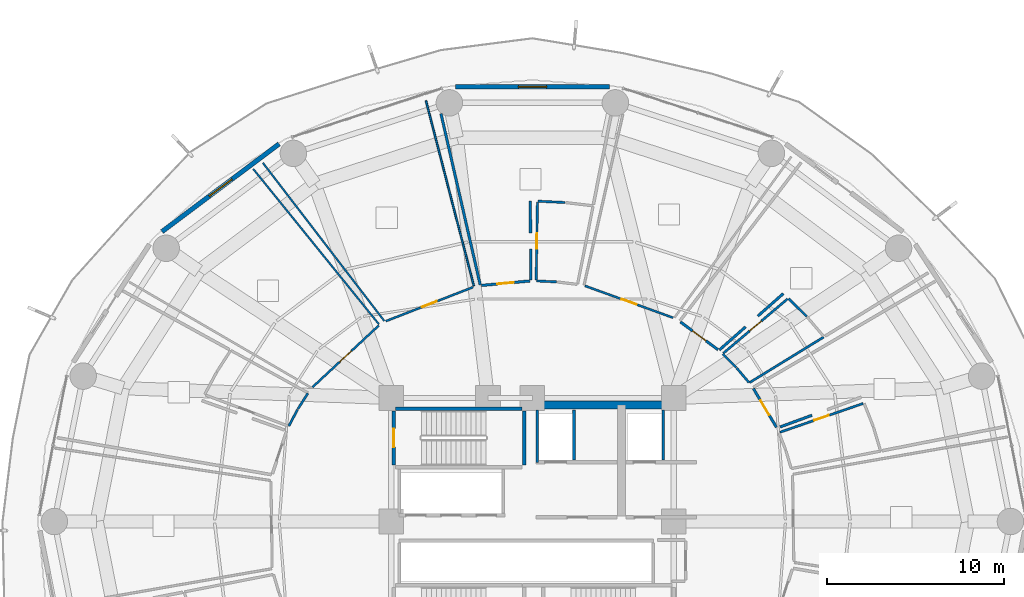
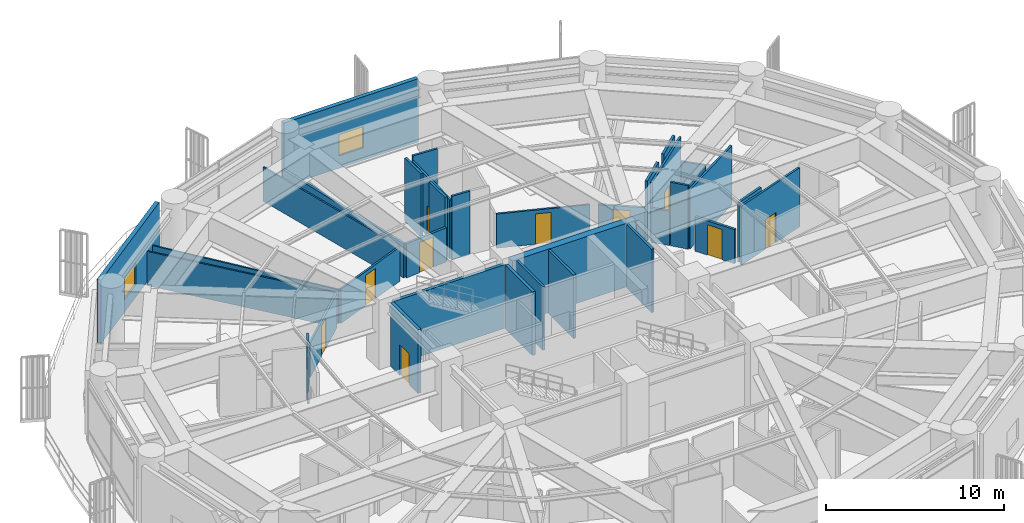
# One storey, part 24 of 31: 35 walls, 10 doors, 2 windows, 12 openings.
"""IFC4 building model written with IfcOpenShell, lengths in metres."""

from ifc_helpers import new_model, si_unit, direction, frame, frame_2d, origin, place, context, subcontext, project, spatial, rectangle, extrude, material, layer, layer_set, type_object, element, fill, save


model = new_model("IFC4")

# Units and contexts
model_context = context("Model", 3, precision=1e-05, world=origin(), true_north=direction((0.0, 1.0)))
body_context = subcontext(model_context, "Body", "Model", "MODEL_VIEW")
ifc_project = project(units=[si_unit("LENGTHUNIT", "METRE"), si_unit("AREAUNIT", "SQUARE_METRE"), si_unit("VOLUMEUNIT", "CUBIC_METRE"), si_unit("PLANEANGLEUNIT", "RADIAN"), si_unit("MASSUNIT", "GRAM", prefix="KILO")], contexts=[model_context])

# Site, building, storey
site_placement = place(None, origin())
site = spatial("IfcSite", under=ifc_project, at=site_placement, CompositionType="ELEMENT")
building_placement = place(site_placement, origin())
building = spatial("IfcBuilding", under=site, at=building_placement, Name="Kelanora Arch Commons", CompositionType="ELEMENT")
storey_placement = place(building_placement, frame((0.0, 0.0, 67.5)))
storey = spatial("IfcBuildingStorey", under=building, at=storey_placement, Name="L17", CompositionType="ELEMENT", Elevation=67.5)

# Walls
ifc_material_1 = material(Name="Autoclaved aerated concrete blockwork with fire plaster", Category="masonry")
ifc_layer_1 = layer(ifc_material_1, 0.14990234375)
ifc_layer_set_1 = layer_set([ifc_layer_1], Name="Autoclaved aerated concrete blockwork with fire plaster")
wall_type_1 = type_object("IfcWallType", Name="W-COMP-150", PredefinedType="PARTITIONING", material=ifc_layer_set_1)
wall_1_placement = place(storey_placement, frame((74.280029296875, 61.35009765625, 0.0), z_axis=(0.0, 0.0, 1.0), x_axis=(0.0, 1.0, 0.0)))
element("IfcWall", 1, at=wall_1_placement, inside=storey, type_object=wall_type_1, Name="Firefighting Lift 1 West Shaft Wall L17", PredefinedType="PARTITIONING", context=body_context, shape_type="SweptSolid", body=[
    extrude(rectangle(XDim=2.969970703125, YDim=0.14990234375, at=frame_2d((1.48486328125, 0.0))), origin(), (0.0, 0.0, 1.0), 4.35009765625),
])
for number, where, z_axis, x_axis, name in (
    (2, (76.360107421875, 61.47998046875, 0.0), (0.0, 0.0, 1.0), (0.0, 1.0, 0.0), "Firefighting Lift 1 East Shaft Wall L17"),
    (3, (81.419921875, 61.47998046875, 0.0), (0.0, 0.0, 1.0), (0.0, 1.0, 0.0), "Firefighting Lift 2 East Shaft Wall L17"),
):
    element("IfcWall", number, at=place(storey_placement, frame(where, z_axis=z_axis, x_axis=x_axis)), inside=storey, type_object=wall_type_1, Name=name, PredefinedType="PARTITIONING", context=body_context, shape_type="SweptSolid", body=[
        extrude(rectangle(XDim=2.840087890625, YDim=0.14990234375, at=frame_2d((1.419921875, 0.0))), origin(), (0.0, 0.0, 1.0), 4.35009765625),
    ])

# Wall, opening, door
wall_2_placement = place(storey_placement, frame((87.8212890625, 63.340576171875, 0.0), z_axis=(0.0, 0.0, 1.0), x_axis=(-0.510684908265, 0.859767948036, 0.0)))
wall_2 = element("IfcWall", 4, at=wall_2_placement, inside=storey, type_object=wall_type_1, Name="Co-Living Studio L17-01 Entry Partition", PredefinedType="PARTITIONING", context=body_context, shape_type="SweptSolid", body=[
    extrude(rectangle(XDim=2.547119140625, YDim=0.14990234375, at=frame_2d((1.2734375, 0.0))), origin(), (0.0, 0.0, 1.0), 2.344970703125),
])
opening_1_placement = place(wall_2_placement, frame((0.799072265625, 0.0, 0.0)))
opening_1 = element("IfcOpeningElement", 5, at=opening_1_placement, cuts=wall_2, Name="Opening D-CLU1", PredefinedType="OPENING", context=body_context, shape_type="SweptSolid", body=[
    extrude(rectangle(XDim=0.949951171875, YDim=2.080078125, at=frame_2d((0.47509765625, 1.0400390625))), frame((0.0, 0.0849609375, 0.0), z_axis=(0.0, -1.0, 0.0), x_axis=(1.0, 0.0, 0.0)), (0.0, 0.0, 1.0), 0.169921875),
])
ifc_material_2 = material(Name="Solid-core acoustic timber cluster entry fire door", Category="wood")
door_type_1 = type_object("IfcDoorType", Name="D-CLU-95", OperationType="NOTDEFINED", PredefinedType="DOOR", material=ifc_material_2)
door_1_placement = place(opening_1_placement, origin())
door_1 = element("IfcDoor", 6, at=door_1_placement, inside=storey, type_object=door_type_1, Name="Co-Living Studio L17-01 Door", OperationType="SINGLE_SWING_LEFT", OverallHeight=2.080078125, OverallWidth=0.949951171875, PredefinedType="DOOR", context=body_context, shape_type="SweptSolid", body=[
    extrude(rectangle(XDim=0.949951171875, YDim=2.080078125, at=frame_2d((0.47509765625, 1.0400390625))), frame((0.0, 0.02490234375, 0.0), z_axis=(0.0, -1.0, 0.0), x_axis=(1.0, 0.0, 0.0)), (0.0, 0.0, 1.0), 0.050048828125),
])
fill(opening_1, door_1)

wall_3_placement = place(storey_placement, frame((84.517578125, 67.729736328125, 0.0), z_axis=(0.0, 0.0, 1.0), x_axis=(-0.804204870708, 0.594352190144, 0.0)))
wall_3 = element("IfcWall", 7, at=wall_3_placement, inside=storey, type_object=wall_type_1, Name="Co-Living Studio L17-02 Entry Partition", PredefinedType="PARTITIONING", context=body_context, shape_type="SweptSolid", body=[
    extrude(rectangle(XDim=2.64892578125, YDim=0.14990234375, at=frame_2d((1.324462890625, 0.0))), origin(), (0.0, 0.0, 1.0), 2.344970703125),
])
opening_2_placement = place(wall_3_placement, frame((0.85009765625, 0.0, 0.0)))
opening_2 = element("IfcOpeningElement", 8, at=opening_2_placement, cuts=wall_3, Name="Opening D-CLU1", PredefinedType="OPENING", context=body_context, shape_type="SweptSolid", body=[
    extrude(rectangle(XDim=0.949951171875, YDim=2.080078125, at=frame_2d((0.47509765625, 1.0400390625))), frame((0.0, 0.0849609375, 0.0), z_axis=(0.0, -1.0, 0.0), x_axis=(1.0, 0.0, 0.0)), (0.0, 0.0, 1.0), 0.169921875),
])
door_2_placement = place(opening_2_placement, origin())
door_2 = element("IfcDoor", 9, at=door_2_placement, inside=storey, type_object=door_type_1, Name="Co-Living Studio L17-02 Door", OperationType="SINGLE_SWING_LEFT", OverallHeight=2.080078125, OverallWidth=0.949951171875, PredefinedType="DOOR", context=body_context, shape_type="SweptSolid", body=[
    extrude(rectangle(XDim=0.949951171875, YDim=2.080078125, at=frame_2d((0.47509765625, 1.0400390625))), frame((0.0, 0.02490234375, 0.0), z_axis=(0.0, -1.0, 0.0), x_axis=(1.0, 0.0, 0.0)), (0.0, 0.0, 1.0), 0.050048828125),
])
fill(opening_2, door_2)

wall_4_placement = place(storey_placement, frame((73.852294921875, 71.62451171875, 0.0), z_axis=(0.0, 0.0, 1.0), x_axis=(-0.995758922583, -0.092000913564, 0.0)))
wall_4 = element("IfcWall", 10, at=wall_4_placement, inside=storey, type_object=wall_type_1, Name="Co-Living Studio L17-04 Entry Partition", PredefinedType="PARTITIONING", context=body_context, shape_type="SweptSolid", body=[
    extrude(rectangle(XDim=2.749267578125, YDim=0.14990234375, at=frame_2d((1.37451171875, 0.0))), origin(), (0.0, 0.0, 1.0), 2.344970703125),
])
opening_3_placement = place(wall_4_placement, frame((0.89990234375, 0.0, 0.0)))
opening_3 = element("IfcOpeningElement", 11, at=opening_3_placement, cuts=wall_4, Name="Opening D-CLU1", PredefinedType="OPENING", context=body_context, shape_type="SweptSolid", body=[
    extrude(rectangle(XDim=0.949951171875, YDim=2.080078125, at=frame_2d((0.47509765625, 1.0400390625))), frame((0.0, 0.0849609375, 0.0), z_axis=(0.0, -1.0, 0.0), x_axis=(1.0, 0.0, 0.0)), (0.0, 0.0, 1.0), 0.169921875),
])
door_3_placement = place(opening_3_placement, origin())
door_3 = element("IfcDoor", 12, at=door_3_placement, inside=storey, type_object=door_type_1, Name="Co-Living Studio L17-04 Door", OperationType="SINGLE_SWING_RIGHT", OverallHeight=2.080078125, OverallWidth=0.949951171875, PredefinedType="DOOR", context=body_context, shape_type="SweptSolid", body=[
    extrude(rectangle(XDim=0.949951171875, YDim=2.080078125, at=frame_2d((0.47509765625, 1.0400390625))), frame((0.0, 0.02490234375, 0.0), z_axis=(0.0, -1.0, 0.0), x_axis=(1.0, 0.0, 0.0)), (0.0, 0.0, 1.0), 0.050048828125),
])
fill(opening_3, door_3)

# Walls
wall_5_placement = place(storey_placement, frame((89.838623046875, 64.018310546875, 0.0), z_axis=(0.0, 0.0, 1.0), x_axis=(-0.938736795894, -0.344634919931, 0.0)))
element("IfcWall", 13, at=wall_5_placement, inside=storey, type_object=wall_type_1, Name="Co-Living Studio L17-01 Enclosure Partition 7", PredefinedType="PARTITIONING", context=body_context, shape_type="SweptSolid", body=[
    extrude(rectangle(XDim=1.924072265625, YDim=0.14990234375, at=frame_2d((0.9619140625, 0.0))), origin(), (0.0, 0.0, 1.0), 4.10498046875),
])
wall_6_placement = place(storey_placement, frame((88.2119140625, 70.908447265625, 0.0), z_axis=(0.0, 0.0, 1.0), x_axis=(-0.750129957485, -0.661290440641, 0.0)))
element("IfcWall", 14, at=wall_6_placement, inside=storey, type_object=wall_type_1, Name="Co-Living Studio L17-02 Enclosure Partition 7", PredefinedType="PARTITIONING", context=body_context, shape_type="SweptSolid", body=[
    extrude(rectangle(XDim=1.926513671875, YDim=0.14990234375, at=frame_2d((0.96337890625, 0.0))), origin(), (0.0, 0.0, 1.0), 4.044921875),
])
wall_7_placement = place(storey_placement, frame((86.07666015625, 69.02587890625, 0.0), z_axis=(0.0, 0.0, 1.0), x_axis=(-0.75011209805, -0.661310698809, 0.0)))
element("IfcWall", 15, at=wall_7_placement, inside=storey, type_object=wall_type_1, Name="Co-Living Studio L17-02 Enclosure Partition 7", PredefinedType="PARTITIONING", context=body_context, shape_type="SweptSolid", body=[
    extrude(rectangle(XDim=1.973876953125, YDim=0.14990234375, at=frame_2d((0.98681640625, 0.0))), origin(), (0.0, 0.0, 1.0), 4.10498046875),
])
wall_8_placement = place(storey_placement, frame((71.046142578125, 71.405029296875, 0.0), z_axis=(0.0, 0.0, 1.0), x_axis=(-0.223551012649, 0.97469223078, 0.0)))
element("IfcWall", 16, at=wall_8_placement, inside=storey, type_object=wall_type_1, Name="Co-Living Studio L17-04 Enclosure Partition 2", PredefinedType="PARTITIONING", context=body_context, shape_type="SweptSolid", body=[
    extrude(rectangle(XDim=9.948974609375, YDim=0.14990234375, at=frame_2d((4.974609375, 0.0))), origin(), (0.0, 0.0, 1.0), 2.344970703125),
])
wall_9_placement = place(storey_placement, frame((73.88232421875, 76.14697265625, 0.0), z_axis=(0.0, 0.0, 1.0), x_axis=(0.006530472988, -0.999978676234, 0.0)))
element("IfcWall", 17, at=wall_9_placement, inside=storey, type_object=wall_type_1, Name="Co-Living Studio L17-04 Enclosure Partition 7", PredefinedType="PARTITIONING", context=body_context, shape_type="SweptSolid", body=[
    extrude(rectangle(XDim=1.79443359375, YDim=0.14990234375, at=frame_2d((0.897216796875, 0.0))), origin(), (0.0, 0.0, 1.0), 4.35009765625),
])
wall_10_placement = place(storey_placement, frame((73.900146484375, 73.432373046875, 0.0), z_axis=(0.0, 0.0, 1.0), x_axis=(0.006510459055, -0.999978806737, 0.0)))
element("IfcWall", 18, at=wall_10_placement, inside=storey, type_object=wall_type_1, Name="Co-Living Studio L17-04 Enclosure Partition 7", PredefinedType="PARTITIONING", context=body_context, shape_type="SweptSolid", body=[
    extrude(rectangle(XDim=1.762451171875, YDim=0.14990234375, at=frame_2d((0.88134765625, 0.0))), origin(), (0.0, 0.0, 1.0), 4.35009765625),
])
ifc_material_3 = material(Name="Concrete C60/75", Category="concrete")
ifc_layer_2 = layer(ifc_material_3, 0.449951171875)
ifc_layer_set_2 = layer_set([ifc_layer_2], Name="Concrete C60/75")
wall_type_2 = type_object("IfcWallType", Name="W-CORE-450", PredefinedType="SHEAR", material=ifc_layer_set_2)
wall_11_placement = place(storey_placement, frame((74.0, 64.60009765625, 0.0), z_axis=(0.0, 0.0, 1.0), x_axis=(1.0, 0.0, 0.0)))
element("IfcWall", 19, at=wall_11_placement, inside=storey, type_object=wall_type_2, Name="Core Shear Spine L17-CN-E", PredefinedType="SHEAR", context=body_context, shape_type="SweptSolid", body=[
    extrude(rectangle(XDim=8.0, YDim=0.449951171875, at=frame_2d((4.0, 0.0))), origin(), (0.0, 0.0, 1.0), 4.360107421875),
])

# Wall, opening, window
ifc_material_4 = material(Name="Precast concrete C40/50 with terracotta rainscreen", Category="masonry")
ifc_layer_3 = layer(ifc_material_4, 0.260009765625)
ifc_layer_set_3 = layer_set([ifc_layer_3], Name="Precast concrete C40/50 with terracotta rainscreen")
wall_type_3 = type_object("IfcWallType", Name="W-EXT-TC", PredefinedType="SOLIDWALL", material=ifc_layer_set_3)
wall_12_placement = place(storey_placement, frame((78.35595703125, 82.6201171875, 0.0), z_axis=(0.0, 0.0, 1.0), x_axis=(-1.0, 0.0, 0.0)))
wall_12 = element("IfcWall", 20, at=wall_12_placement, inside=storey, type_object=wall_type_3, Name="Terracotta Exterior Wall L17-B04", PredefinedType="SOLIDWALL", context=body_context, shape_type="SweptSolid", body=[
    extrude(rectangle(XDim=8.7119140625, YDim=0.260009765625, at=frame_2d((4.35595703125, 0.0))), origin(), (0.0, 0.0, 1.0), 4.344970703125),
])
opening_4_placement = place(wall_12_placement, frame((3.555908203125, 0.0, 0.85009765625)))
opening_4 = element("IfcOpeningElement", 21, at=opening_4_placement, cuts=wall_12, Name="Opening WN-01", PredefinedType="OPENING", context=body_context, shape_type="SweptSolid", body=[
    extrude(rectangle(XDim=1.60009765625, YDim=1.449951171875, at=frame_2d((0.800048828125, 0.72509765625))), frame((0.0, 0.14013671875, 0.0), z_axis=(0.0, -1.0, 0.0), x_axis=(1.0, 0.0, 0.0)), (0.0, 0.0, 1.0), 0.280029296875),
])
ifc_material_5 = material(Name="Terracotta-anodised aluminium frame with operable low-E glazing", Category="masonry")
window_type = type_object("IfcWindowType", Name="WIN-CL-18", PartitioningType="DOUBLE_PANEL_VERTICAL", PredefinedType="WINDOW", material=ifc_material_5)
window_1_placement = place(opening_4_placement, origin())
window_1 = element("IfcWindow", 22, at=window_1_placement, inside=storey, type_object=window_type, Name="Co-Living Operable Window L17-B04", OverallHeight=1.449951171875, OverallWidth=1.60009765625, PartitioningType="SINGLE_PANEL", PredefinedType="WINDOW", context=body_context, shape_type="SweptSolid", body=[
    extrude(rectangle(XDim=1.60009765625, YDim=1.449951171875, at=frame_2d((0.800048828125, 0.72509765625))), frame((0.0, 0.030029296875, 0.0), z_axis=(0.0, -1.0, 0.0), x_axis=(1.0, 0.0, 0.0)), (0.0, 0.0, 1.0), 0.06005859375),
])
fill(opening_4, window_1)

wall_13_placement = place(storey_placement, frame((59.651123046875, 79.38916015625, 0.0), z_axis=(0.0, 0.0, 1.0), x_axis=(-0.80030733173, -0.599590005569, 0.0)))
wall_13 = element("IfcWall", 23, at=wall_13_placement, inside=storey, type_object=wall_type_3, Name="Terracotta Exterior Wall L17-B06", PredefinedType="SOLIDWALL", context=body_context, shape_type="SweptSolid", body=[
    extrude(rectangle(XDim=8.29052734375, YDim=0.260009765625, at=frame_2d((4.145263671875, 0.0))), origin(), (0.0, 0.0, 1.0), 4.344970703125),
])
opening_5_placement = place(wall_13_placement, frame((3.344970703125, 0.0, 0.85009765625)))
opening_5 = element("IfcOpeningElement", 24, at=opening_5_placement, cuts=wall_13, Name="Opening WN-01", PredefinedType="OPENING", context=body_context, shape_type="SweptSolid", body=[
    extrude(rectangle(XDim=1.60009765625, YDim=1.449951171875, at=frame_2d((0.800048828125, 0.72509765625))), frame((0.0, 0.14013671875, 0.0), z_axis=(0.0, -1.0, 0.0), x_axis=(1.0, 0.0, 0.0)), (0.0, 0.0, 1.0), 0.280029296875),
])
window_2_placement = place(opening_5_placement, origin())
window_2 = element("IfcWindow", 25, at=window_2_placement, inside=storey, type_object=window_type, Name="Co-Living Operable Window L17-B06", OverallHeight=1.449951171875, OverallWidth=1.60009765625, PartitioningType="SINGLE_PANEL", PredefinedType="WINDOW", context=body_context, shape_type="SweptSolid", body=[
    extrude(rectangle(XDim=1.60009765625, YDim=1.449951171875, at=frame_2d((0.800048828125, 0.72509765625))), frame((0.0, 0.030029296875, 0.0), z_axis=(0.0, -1.0, 0.0), x_axis=(1.0, 0.0, 0.0)), (0.0, 0.0, 1.0), 0.06005859375),
])
fill(opening_5, window_2)

# Walls
ifc_material_6 = material(Name="Lightweight fire-rated acoustic stud partition")
ifc_layer_4 = layer(ifc_material_6, 0.10009765625)
ifc_layer_set_4 = layer_set([ifc_layer_4], Name="Lightweight fire-rated acoustic stud partition")
wall_type_4 = type_object("IfcWallType", Name="W-PART-100", PredefinedType="PARTITIONING", material=ifc_layer_set_4)
wall_14_placement = place(storey_placement, frame((65.614501953125, 69.357666015625, 0.0), z_axis=(0.0, 0.0, 1.0), x_axis=(-0.6091849282, 0.793028198271, 0.0)))
element("IfcWall", 26, at=wall_14_placement, inside=storey, type_object=wall_type_4, Name="Social Sky Lounge L17-05 Enclosure Partition 2", PredefinedType="PARTITIONING", context=body_context, shape_type="SweptSolid", body=[
    extrude(rectangle(XDim=11.2890625, YDim=0.10009765625, at=frame_2d((5.64453125, 0.0))), origin(), (0.0, 0.0, 1.0), 2.344970703125),
])
wall_15_placement = place(storey_placement, frame((67.968994140625, 81.84228515625, 0.0), z_axis=(0.0, 0.0, 1.0), x_axis=(0.250367188866, -0.968150954521, 0.0)))
element("IfcWall", 27, at=wall_15_placement, inside=storey, type_object=wall_type_4, Name="Social Sky Lounge L17-05 Enclosure Partition 4", PredefinedType="PARTITIONING", context=body_context, shape_type="SweptSolid", body=[
    extrude(rectangle(XDim=10.852294921875, YDim=0.10009765625, at=frame_2d((5.42626953125, 0.0))), origin(), (0.0, 0.0, 1.0), 2.344970703125),
])
wall_16_placement = place(storey_placement, frame((58.185302734375, 77.972900390625, 0.0), z_axis=(0.0, 0.0, 1.0), x_axis=(0.629127534858, -0.777302093708, 0.0)))
element("IfcWall", 28, at=wall_16_placement, inside=storey, type_object=wall_type_4, Name="Quiet Seminar Study Room L17-06 Enclosure Partition 4", PredefinedType="PARTITIONING", context=body_context, shape_type="SweptSolid", body=[
    extrude(rectangle(XDim=11.325927734375, YDim=0.10009765625, at=frame_2d((5.6630859375, 0.0))), origin(), (0.0, 0.0, 1.0), 2.344970703125),
])

# Wall, opening, door
ifc_material_7 = material(Name="Acoustic twin-stud fire-rated gypsum partition")
ifc_layer_5 = layer(ifc_material_7, 0.1201171875)
ifc_layer_set_5 = layer_set([ifc_layer_5], Name="Acoustic twin-stud fire-rated gypsum partition")
wall_type_5 = type_object("IfcWallType", Name="W-PART-120", PredefinedType="PARTITIONING", material=ifc_layer_set_5)
wall_17_placement = place(storey_placement, frame((81.974609375, 69.54150390625, 0.0), z_axis=(0.0, 0.0, 1.0), x_axis=(-0.940384663849, 0.340112751891, 0.0)))
wall_17 = element("IfcWall", 29, at=wall_17_placement, inside=storey, type_object=wall_type_5, Name="Communal Dining and Social Hall L17-03 Entry Partition", PredefinedType="PARTITIONING", context=body_context, shape_type="SweptSolid", body=[
    extrude(rectangle(XDim=5.316162109375, YDim=0.1201171875, at=frame_2d((2.658203125, 0.0))), origin(), (0.0, 0.0, 1.0), 2.344970703125),
])
opening_6_placement = place(wall_17_placement, frame((2.2080078125, 0.0, 0.0)))
opening_6 = element("IfcOpeningElement", 30, at=opening_6_placement, cuts=wall_17, Name="Opening D-RM1", PredefinedType="OPENING", context=body_context, shape_type="SweptSolid", body=[
    extrude(rectangle(XDim=0.89990234375, YDim=2.080078125, at=frame_2d((0.449951171875, 1.0400390625))), frame((0.0, 0.070068359375, 0.0), z_axis=(0.0, -1.0, 0.0), x_axis=(1.0, 0.0, 0.0)), (0.0, 0.0, 1.0), 0.14013671875),
])
ifc_material_8 = material(Name="Acoustic fire-rated timber study and lounge door", Category="wood")
door_type_2 = type_object("IfcDoorType", Name="D-ROOM-90", OperationType="NOTDEFINED", PredefinedType="DOOR", material=ifc_material_8)
door_4_placement = place(opening_6_placement, origin())
door_4 = element("IfcDoor", 31, at=door_4_placement, inside=storey, type_object=door_type_2, Name="Communal Dining and Social Hall L17-03 Door", OperationType="SINGLE_SWING_RIGHT", OverallHeight=2.080078125, OverallWidth=0.89990234375, PredefinedType="DOOR", context=body_context, shape_type="SweptSolid", body=[
    extrude(rectangle(XDim=0.89990234375, YDim=2.080078125, at=frame_2d((0.449951171875, 1.0400390625))), frame((0.0, 0.02490234375, 0.0), z_axis=(0.0, -1.0, 0.0), x_axis=(1.0, 0.0, 0.0)), (0.0, 0.0, 1.0), 0.050048828125),
])
fill(opening_6, door_4)

wall_18_placement = place(storey_placement, frame((70.64013671875, 71.275146484375, 0.0), z_axis=(0.0, 0.0, 1.0), x_axis=(-0.931745460888, -0.363112098551, 0.0)))
wall_18 = element("IfcWall", 32, at=wall_18_placement, inside=storey, type_object=wall_type_5, Name="Social Sky Lounge L17-05 Entry Partition", PredefinedType="PARTITIONING", context=body_context, shape_type="SweptSolid", body=[
    extrude(rectangle(XDim=5.3076171875, YDim=0.1201171875, at=frame_2d((2.65380859375, 0.0))), origin(), (0.0, 0.0, 1.0), 2.344970703125),
])
opening_7_placement = place(wall_18_placement, frame((2.2041015625, 0.0, 0.0)))
opening_7 = element("IfcOpeningElement", 33, at=opening_7_placement, cuts=wall_18, Name="Opening D-RM1", PredefinedType="OPENING", context=body_context, shape_type="SweptSolid", body=[
    extrude(rectangle(XDim=0.89990234375, YDim=2.080078125, at=frame_2d((0.449951171875, 1.0400390625))), frame((0.0, 0.070068359375, 0.0), z_axis=(0.0, -1.0, 0.0), x_axis=(1.0, 0.0, 0.0)), (0.0, 0.0, 1.0), 0.14013671875),
])
door_5_placement = place(opening_7_placement, origin())
door_5 = element("IfcDoor", 34, at=door_5_placement, inside=storey, type_object=door_type_2, Name="Social Sky Lounge L17-05 Door", OperationType="SINGLE_SWING_LEFT", OverallHeight=2.080078125, OverallWidth=0.89990234375, PredefinedType="DOOR", context=body_context, shape_type="SweptSolid", body=[
    extrude(rectangle(XDim=0.89990234375, YDim=2.080078125, at=frame_2d((0.449951171875, 1.0400390625))), frame((0.0, 0.02490234375, 0.0), z_axis=(0.0, -1.0, 0.0), x_axis=(1.0, 0.0, 0.0)), (0.0, 0.0, 1.0), 0.050048828125),
])
fill(opening_7, door_5)

wall_19_placement = place(storey_placement, frame((65.2919921875, 69.09716796875, 0.0), z_axis=(0.0, 0.0, 1.0), x_axis=(-0.731919362797, -0.681391257915, 0.0)))
wall_19 = element("IfcWall", 35, at=wall_19_placement, inside=storey, type_object=wall_type_5, Name="Quiet Seminar Study Room L17-06 Entry Partition", PredefinedType="PARTITIONING", context=body_context, shape_type="SweptSolid", body=[
    extrude(rectangle(XDim=5.12646484375, YDim=0.1201171875, at=frame_2d((2.563232421875, 0.0))), origin(), (0.0, 0.0, 1.0), 2.344970703125),
])
opening_8_placement = place(wall_19_placement, frame((2.113037109375, 0.0, 0.0)))
opening_8 = element("IfcOpeningElement", 36, at=opening_8_placement, cuts=wall_19, Name="Opening D-RM1", PredefinedType="OPENING", context=body_context, shape_type="SweptSolid", body=[
    extrude(rectangle(XDim=0.89990234375, YDim=2.080078125, at=frame_2d((0.449951171875, 1.0400390625))), frame((0.0, 0.070068359375, 0.0), z_axis=(0.0, -1.0, 0.0), x_axis=(1.0, 0.0, 0.0)), (0.0, 0.0, 1.0), 0.14013671875),
])
door_6_placement = place(opening_8_placement, origin())
door_6 = element("IfcDoor", 37, at=door_6_placement, inside=storey, type_object=door_type_2, Name="Quiet Seminar Study Room L17-06 Door", OperationType="SINGLE_SWING_RIGHT", OverallHeight=2.080078125, OverallWidth=0.89990234375, PredefinedType="DOOR", context=body_context, shape_type="SweptSolid", body=[
    extrude(rectangle(XDim=0.89990234375, YDim=2.080078125, at=frame_2d((0.449951171875, 1.0400390625))), frame((0.0, 0.02490234375, 0.0), z_axis=(0.0, -1.0, 0.0), x_axis=(1.0, 0.0, 0.0)), (0.0, 0.0, 1.0), 0.050048828125),
])
fill(opening_8, door_6)

# Walls
ifc_material_9 = material(Name="Concrete C40/50", Category="concrete")
ifc_layer_6 = layer(ifc_material_9, 0.199951171875)
ifc_layer_set_6 = layer_set([ifc_layer_6], Name="Concrete C40/50")
wall_type_6 = type_object("IfcWallType", Name="W-STAIR-200", PredefinedType="SHEAR", material=ifc_layer_set_6)
wall_20_placement = place(storey_placement, frame((73.5400390625, 61.199951171875, 0.0), z_axis=(0.0, 0.0, 1.0), x_axis=(0.0, 1.0, 0.0)))
element("IfcWall", 38, at=wall_20_placement, inside=storey, type_object=wall_type_6, Name="Stair ST-T1 Shaft Wall E L17", PredefinedType="SHEAR", context=body_context, shape_type="SweptSolid", body=[
    extrude(rectangle(XDim=3.070068359375, YDim=0.199951171875, at=frame_2d((1.53515625, 0.0))), origin(), (0.0, 0.0, 1.0), 4.360107421875),
])
wall_21_placement = place(storey_placement, frame((73.419921875, 64.389892578125, 0.0), z_axis=(0.0, 0.0, 1.0), x_axis=(-1.0, 0.0, 0.0)))
element("IfcWall", 39, at=wall_21_placement, inside=storey, type_object=wall_type_6, Name="Stair ST-T1 Shaft Wall N L17", PredefinedType="SHEAR", context=body_context, shape_type="SweptSolid", body=[
    extrude(rectangle(XDim=7.159912109375, YDim=0.199951171875, at=frame_2d((3.580078125, 0.0))), origin(), (0.0, 0.0, 1.0), 4.360107421875),
])

# Wall, opening, door
wall_22_placement = place(storey_placement, frame((66.139892578125, 64.27001953125, 0.0), z_axis=(0.0, 0.0, 1.0), x_axis=(0.0, -1.0, 0.0)))
wall_22 = element("IfcWall", 40, at=wall_22_placement, inside=storey, type_object=wall_type_6, Name="Stair ST-T1 Shaft Wall W L17", PredefinedType="SHEAR", context=body_context, shape_type="SweptSolid", body=[
    extrude(rectangle(XDim=3.070068359375, YDim=0.199951171875, at=frame_2d((1.53515625, 0.0))), origin(), (0.0, 0.0, 1.0), 4.360107421875),
])
opening_9_placement = place(wall_22_placement, frame((1.010009765625, 0.0, 0.0)))
opening_9 = element("IfcOpeningElement", 41, at=opening_9_placement, cuts=wall_22, Name="Opening D-ST1", PredefinedType="OPENING", context=body_context, shape_type="SweptSolid", body=[
    extrude(rectangle(XDim=1.050048828125, YDim=2.10009765625, at=frame_2d((0.52490234375, 1.050048828125))), frame((0.0, 0.10986328125, 0.0), z_axis=(0.0, -1.0, 0.0), x_axis=(1.0, 0.0, 0.0)), (0.0, 0.0, 1.0), 0.219970703125),
])
ifc_material_10 = material(Name="Steel fire-rated stairwell escape door", Category="steel")
door_type_3 = type_object("IfcDoorType", Name="D-STAIR-110", OperationType="NOTDEFINED", PredefinedType="DOOR", material=ifc_material_10)
door_7_placement = place(opening_9_placement, origin())
door_7 = element("IfcDoor", 42, at=door_7_placement, inside=storey, type_object=door_type_3, Name="Stair ST-T1 Escape Door L17", OperationType="SINGLE_SWING_LEFT", OverallHeight=2.10009765625, OverallWidth=1.050048828125, PredefinedType="DOOR", context=body_context, shape_type="SweptSolid", body=[
    extrude(rectangle(XDim=1.050048828125, YDim=2.10009765625, at=frame_2d((0.52490234375, 1.050048828125))), frame((0.0, 0.02490234375, 0.0), z_axis=(0.0, -1.0, 0.0), x_axis=(1.0, 0.0, 0.0)), (0.0, 0.0, 1.0), 0.050048828125),
])
fill(opening_9, door_7)

ifc_material_11 = material(Name="Moisture-resistant fire-rated cement-board plumbing wall")
ifc_layer_7 = layer(ifc_material_11, 0.1298828125)
ifc_layer_set_7 = layer_set([ifc_layer_7], Name="Moisture-resistant fire-rated cement-board plumbing wall")
wall_type_7 = type_object("IfcWallType", Name="W-WET-120", PredefinedType="PLUMBINGWALL", material=ifc_layer_set_7)
wall_23_placement = place(storey_placement, frame((88.022705078125, 63.0556640625, 0.0), z_axis=(0.0, 0.0, 1.0), x_axis=(0.945000053877, 0.327070173163, 0.0)))
wall_23 = element("IfcWall", 43, at=wall_23_placement, inside=storey, type_object=wall_type_7, Name="En-Suite Shower WC L17-01 Entry Partition", PredefinedType="PLUMBINGWALL", context=body_context, shape_type="SweptSolid", body=[
    extrude(rectangle(XDim=4.982421875, YDim=0.1298828125, at=frame_2d((2.4912109375, 0.0))), origin(), (0.0, 0.0, 1.0), 4.044921875),
])
opening_10_placement = place(wall_23_placement, frame((2.06103515625, 0.0, 0.0)))
opening_10 = element("IfcOpeningElement", 44, at=opening_10_placement, cuts=wall_23, Name="Opening D-BT1", PredefinedType="OPENING", context=body_context, shape_type="SweptSolid", body=[
    extrude(rectangle(XDim=0.860107421875, YDim=2.050048828125, at=frame_2d((0.43017578125, 1.02490234375))), frame((0.0, 0.074951171875, 0.0), z_axis=(0.0, -1.0, 0.0), x_axis=(1.0, 0.0, 0.0)), (0.0, 0.0, 1.0), 0.14990234375),
])
ifc_material_12 = material(Name="Moisture-sealed fire-rated accessible bathroom door")
door_type_4 = type_object("IfcDoorType", Name="D-BATH-85", OperationType="NOTDEFINED", PredefinedType="DOOR", material=ifc_material_12)
door_8_placement = place(opening_10_placement, origin())
door_8 = element("IfcDoor", 45, at=door_8_placement, inside=storey, type_object=door_type_4, Name="En-Suite Shower WC L17-01 Door", OperationType="SINGLE_SWING_RIGHT", OverallHeight=2.050048828125, OverallWidth=0.860107421875, PredefinedType="DOOR", context=body_context, shape_type="SweptSolid", body=[
    extrude(rectangle(XDim=0.860107421875, YDim=2.050048828125, at=frame_2d((0.43017578125, 1.02490234375))), frame((0.0, 0.02490234375, 0.0), z_axis=(0.0, -1.0, 0.0), x_axis=(1.0, 0.0, 0.0)), (0.0, 0.0, 1.0), 0.050048828125),
])
fill(opening_10, door_8)

wall_24_placement = place(storey_placement, frame((84.82373046875, 67.538818359375, 0.0), z_axis=(0.0, 0.0, 1.0), x_axis=(0.763460304027, 0.645854754705, 0.0)))
wall_24 = element("IfcWall", 46, at=wall_24_placement, inside=storey, type_object=wall_type_7, Name="En-Suite Shower WC L17-02 Entry Partition", PredefinedType="PLUMBINGWALL", context=body_context, shape_type="SweptSolid", body=[
    extrude(rectangle(XDim=4.75390625, YDim=0.1298828125, at=frame_2d((2.376953125, 0.0))), origin(), (0.0, 0.0, 1.0), 4.044921875),
])
opening_11_placement = place(wall_24_placement, frame((1.947021484375, 0.0, 0.0)))
opening_11 = element("IfcOpeningElement", 47, at=opening_11_placement, cuts=wall_24, Name="Opening D-BT1", PredefinedType="OPENING", context=body_context, shape_type="SweptSolid", body=[
    extrude(rectangle(XDim=0.860107421875, YDim=2.050048828125, at=frame_2d((0.43017578125, 1.02490234375))), frame((0.0, 0.074951171875, 0.0), z_axis=(0.0, -1.0, 0.0), x_axis=(1.0, 0.0, 0.0)), (0.0, 0.0, 1.0), 0.14990234375),
])
door_9_placement = place(opening_11_placement, origin())
door_9 = element("IfcDoor", 48, at=door_9_placement, inside=storey, type_object=door_type_4, Name="En-Suite Shower WC L17-02 Door", OperationType="SINGLE_SWING_RIGHT", OverallHeight=2.050048828125, OverallWidth=0.860107421875, PredefinedType="DOOR", context=body_context, shape_type="SweptSolid", body=[
    extrude(rectangle(XDim=0.860107421875, YDim=2.050048828125, at=frame_2d((0.43017578125, 1.02490234375))), frame((0.0, 0.02490234375, 0.0), z_axis=(0.0, -1.0, 0.0), x_axis=(1.0, 0.0, 0.0)), (0.0, 0.0, 1.0), 0.050048828125),
])
fill(opening_11, door_9)

wall_25_placement = place(storey_placement, frame((74.215087890625, 71.68896484375, 0.0), z_axis=(0.0, 0.0, 1.0), x_axis=(0.016381229396, 0.999865818659, 0.0)))
wall_25 = element("IfcWall", 49, at=wall_25_placement, inside=storey, type_object=wall_type_7, Name="En-Suite Shower WC L17-04 Entry Partition", PredefinedType="PLUMBINGWALL", context=body_context, shape_type="SweptSolid", body=[
    extrude(rectangle(XDim=4.396484375, YDim=0.1298828125, at=frame_2d((2.1982421875, 0.0))), origin(), (0.0, 0.0, 1.0), 4.044921875),
])
opening_12_placement = place(wall_25_placement, frame((1.76806640625, 0.0, 0.0)))
opening_12 = element("IfcOpeningElement", 50, at=opening_12_placement, cuts=wall_25, Name="Opening D-BT1", PredefinedType="OPENING", context=body_context, shape_type="SweptSolid", body=[
    extrude(rectangle(XDim=0.860107421875, YDim=2.050048828125, at=frame_2d((0.43017578125, 1.02490234375))), frame((0.0, 0.074951171875, 0.0), z_axis=(0.0, -1.0, 0.0), x_axis=(1.0, 0.0, 0.0)), (0.0, 0.0, 1.0), 0.14990234375),
])
door_10_placement = place(opening_12_placement, origin())
door_10 = element("IfcDoor", 51, at=door_10_placement, inside=storey, type_object=door_type_4, Name="En-Suite Shower WC L17-04 Door", OperationType="SINGLE_SWING_LEFT", OverallHeight=2.050048828125, OverallWidth=0.860107421875, PredefinedType="DOOR", context=body_context, shape_type="SweptSolid", body=[
    extrude(rectangle(XDim=0.860107421875, YDim=2.050048828125, at=frame_2d((0.43017578125, 1.02490234375))), frame((0.0, 0.02490234375, 0.0), z_axis=(0.0, -1.0, 0.0), x_axis=(1.0, 0.0, 0.0)), (0.0, 0.0, 1.0), 0.050048828125),
])
fill(opening_12, door_10)

# Walls
wall_26_placement = place(storey_placement, frame((86.26904296875, 65.872314453125, 0.0), z_axis=(0.0, 0.0, 1.0), x_axis=(-0.64568660148, 0.763602522697, 0.0)))
element("IfcWall", 52, at=wall_26_placement, inside=storey, type_object=wall_type_7, Name="En-Suite Shower WC L17-02 Enclosure Partition 1", PredefinedType="PLUMBINGWALL", context=body_context, shape_type="SweptSolid", body=[
    extrude(rectangle(XDim=1.0703125, YDim=0.1298828125, at=frame_2d((0.53515625, 0.0))), origin(), (0.0, 0.0, 1.0), 4.35009765625),
])
wall_27_placement = place(storey_placement, frame((85.55078125, 66.71923828125, 0.0), z_axis=(0.0, 0.0, 1.0), x_axis=(-0.703476009128, 0.710719005361, 0.0)))
element("IfcWall", 53, at=wall_27_placement, inside=storey, type_object=wall_type_7, Name="En-Suite Shower WC L17-02 Enclosure Partition 2", PredefinedType="PLUMBINGWALL", context=body_context, shape_type="SweptSolid", body=[
    extrude(rectangle(XDim=1.07861328125, YDim=0.1298828125, at=frame_2d((0.539306640625, 0.0))), origin(), (0.0, 0.0, 1.0), 2.344970703125),
])
wall_28_placement = place(storey_placement, frame((88.51318359375, 70.6337890625, 0.0), z_axis=(0.0, 0.0, 1.0), x_axis=(0.707441823433, -0.706771580114, 0.0)))
element("IfcWall", 54, at=wall_28_placement, inside=storey, type_object=wall_type_7, Name="En-Suite Shower WC L17-02 Enclosure Partition 4", PredefinedType="PLUMBINGWALL", context=body_context, shape_type="SweptSolid", body=[
    extrude(rectangle(XDim=1.45703125, YDim=0.1298828125, at=frame_2d((0.728515625, 0.0))), origin(), (0.0, 0.0, 1.0), 2.344970703125),
])
wall_29_placement = place(storey_placement, frame((90.5048828125, 68.450439453125, 0.0), z_axis=(0.0, 0.0, 1.0), x_axis=(-0.852126722184, -0.523335503611, 0.0)))
element("IfcWall", 55, at=wall_29_placement, inside=storey, type_object=wall_type_7, Name="En-Suite Shower WC L17-02 Enclosure Partition 6", PredefinedType="PLUMBINGWALL", context=body_context, shape_type="SweptSolid", body=[
    extrude(rectangle(XDim=4.935546875, YDim=0.1298828125, at=frame_2d((2.4677734375, 0.0))), origin(), (0.0, 0.0, 1.0), 4.044921875),
])
wall_30_placement = place(storey_placement, frame((75.3701171875, 71.572998046875, 0.0), z_axis=(0.0, 0.0, 1.0), x_axis=(-0.99883340048, 0.048289109391, 0.0)))
element("IfcWall", 56, at=wall_30_placement, inside=storey, type_object=wall_type_7, Name="En-Suite Shower WC L17-04 Enclosure Partition 2", PredefinedType="PLUMBINGWALL", context=body_context, shape_type="SweptSolid", body=[
    extrude(rectangle(XDim=1.137451171875, YDim=0.1298828125, at=frame_2d((0.56884765625, 0.0))), origin(), (0.0, 0.0, 1.0), 4.35009765625),
])
wall_31_placement = place(storey_placement, frame((74.30810546875, 76.14404296875, 0.0), z_axis=(0.0, 0.0, 1.0), x_axis=(0.998851258849, -0.047918291867, 0.0)))
element("IfcWall", 57, at=wall_31_placement, inside=storey, type_object=wall_type_7, Name="En-Suite Shower WC L17-04 Enclosure Partition 4", PredefinedType="PLUMBINGWALL", context=body_context, shape_type="SweptSolid", body=[
    extrude(rectangle(XDim=1.543701171875, YDim=0.1298828125, at=frame_2d((0.77197265625, 0.0))), origin(), (0.0, 0.0, 1.0), 4.35009765625),
])
wall_32_placement = place(storey_placement, frame((61.28515625, 65.26611328125, 0.0), z_axis=(0.0, 0.0, 1.0), x_axis=(-0.53816125517, -0.842841897057, 0.0)))
element("IfcWall", 58, at=wall_32_placement, inside=storey, type_object=wall_type_7, Name="En-Suite Shower WC L17-07 Enclosure Partition 1", PredefinedType="PLUMBINGWALL", context=body_context, shape_type="SweptSolid", body=[
    extrude(rectangle(XDim=1.05615234375, YDim=0.1298828125, at=frame_2d((0.528076171875, 0.0))), origin(), (0.0, 0.0, 1.0), 2.344970703125),
])
wall_33_placement = place(storey_placement, frame((60.69677734375, 64.34130859375, 0.0), z_axis=(0.0, 0.0, 1.0), x_axis=(-0.467001016817, -0.884256778482, 0.0)))
element("IfcWall", 59, at=wall_33_placement, inside=storey, type_object=wall_type_7, Name="En-Suite Shower WC L17-07 Enclosure Partition 2", PredefinedType="PLUMBINGWALL", context=body_context, shape_type="SweptSolid", body=[
    extrude(rectangle(XDim=1.05029296875, YDim=0.1298828125, at=frame_2d((0.525146484375, 0.0))), origin(), (0.0, 0.0, 1.0), 4.10498046875),
])

save(model, "model.ifc")
